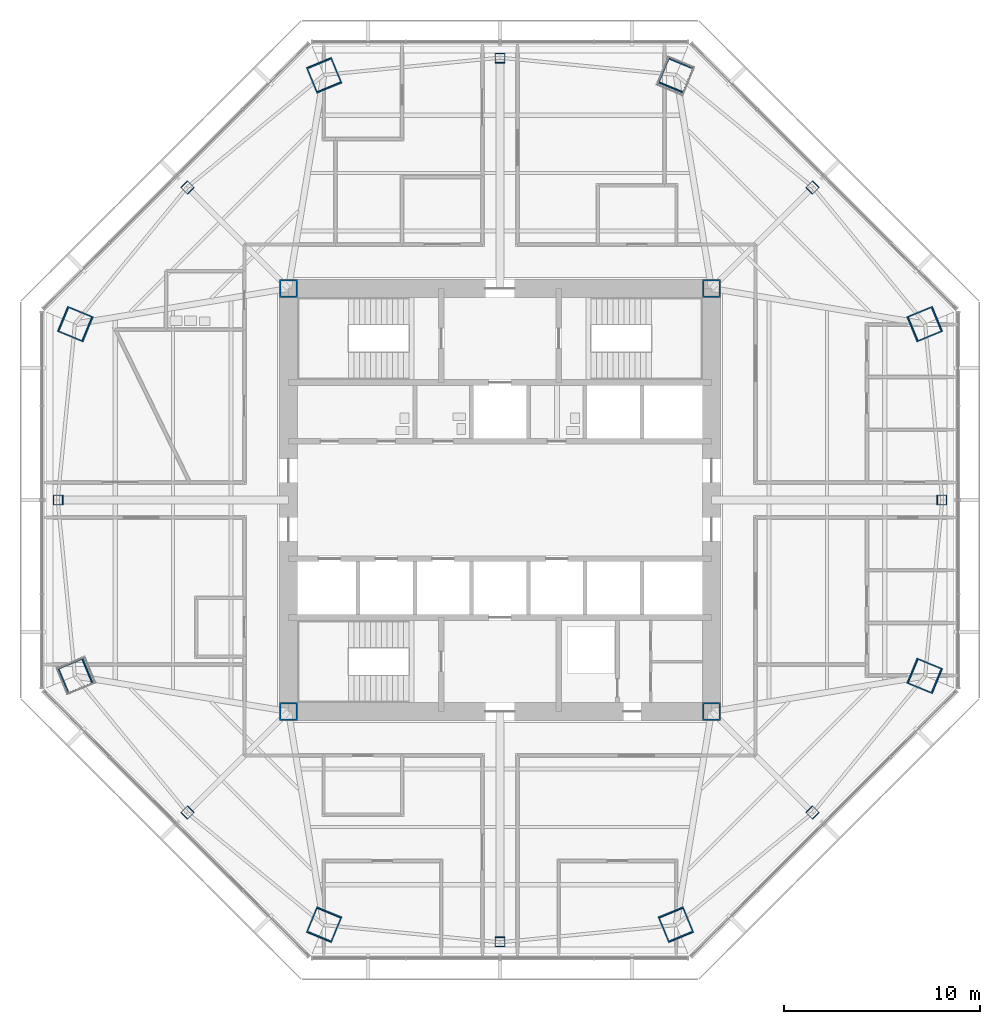
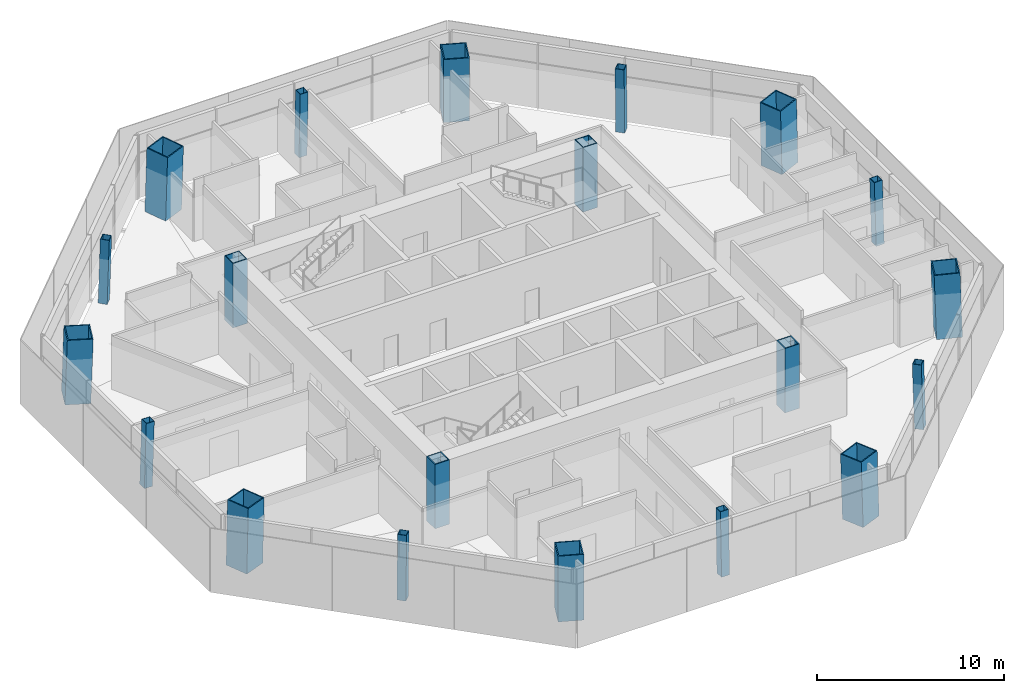
# One storey, part 1 of 15: 20 columns.
"""IFC4 building model written with IfcOpenShell, lengths in metres."""

import ifcopenshell
import ifcopenshell.guid

model = None  # the IFC model being written
_history = None  # IfcOwnerHistory: only IFC2X3 demands one
_inside = {}  # id of a spatial element -> (the spatial element, [elements in it])
_under = {}  # id of a project, library or spatial element -> (it, [spatial elements below it])
_declared = {}  # id of a project -> (the project, [libraries it declares])
_typed = {}  # id of a type object -> (the type object, [elements of that type])
_made_of = {}  # id of a material, layer set ... -> (it, [elements and type objects made of it])


def new_model(schema):
    """Start an empty IFC model of exactly this schema.

    Asked for "IFC4X3", IfcOpenShell would pick the latest addendum, in which some entities
    have other attributes; the version numbers below select the first issue.
    IFC2X3 requires an IfcOwnerHistory on every rooted entity: one is made here for all.
    """
    global model, _history
    if schema == "IFC4X3":
        model = ifcopenshell.file(schema_version=(4, 3, 0, 0))
    else:
        model = ifcopenshell.file(schema=schema)
    _inside.clear()
    _under.clear()
    _declared.clear()
    _typed.clear()
    _made_of.clear()
    _history = None
    if model.schema == "IFC2X3":
        org = make("IfcOrganization", Name="unknown")
        user = make(
            "IfcPersonAndOrganization",
            ThePerson=make("IfcPerson", FamilyName="unknown"),
            TheOrganization=org,
        )
        app = make(
            "IfcApplication",
            ApplicationDeveloper=org,
            Version="unknown",
            ApplicationFullName="unknown",
            ApplicationIdentifier="unknown",
        )
        _history = make(
            "IfcOwnerHistory",
            OwningUser=user,
            OwningApplication=app,
            ChangeAction="ADDED",
            CreationDate=0,
        )
    return model


def make(cls, **values):
    """One entity of the class cls with the attributes given. An attribute that is None is left unset."""
    return model.create_entity(
        cls, **{name: value for name, value in values.items() if value is not None}
    )


def rooted(cls, **values):
    """An entity with a GlobalId (a new one), such as an element, a storey or a relation."""
    return make(cls, GlobalId=ifcopenshell.guid.new(), OwnerHistory=_history, **values)


def si_unit(unit_type, name, prefix=None):
    """IfcSIUnit, for example si_unit("LENGTHUNIT", "METRE", prefix="MILLI")."""
    return make("IfcSIUnit", UnitType=unit_type, Prefix=prefix, Name=name)


def assignment(units):
    """IfcUnitAssignment: the units of a project."""
    return None if units is None else make("IfcUnitAssignment", Units=units)


def point(xyz):
    """IfcCartesianPoint."""
    return None if xyz is None else make("IfcCartesianPoint", Coordinates=xyz)


def direction(xyz):
    """IfcDirection."""
    return None if xyz is None else make("IfcDirection", DirectionRatios=xyz)


def frame(location, z_axis=None, x_axis=None):
    """IfcAxis2Placement3D, a coordinate frame: its origin and axes. An axis left out is left unset."""
    return make(
        "IfcAxis2Placement3D",
        Location=point(location),
        Axis=direction(z_axis),
        RefDirection=direction(x_axis),
    )


def frame_2d(location, x_axis=None):
    """IfcAxis2Placement2D, a coordinate frame in the plane: its origin and x axis."""
    return make(
        "IfcAxis2Placement2D", Location=point(location), RefDirection=direction(x_axis)
    )


def origin():
    """The frame at (0, 0, 0) with its axes left unset."""
    return frame((0.0, 0.0, 0.0))


def origin_2d():
    """The frame at (0, 0) in the plane with its x axis left unset."""
    return frame_2d((0.0, 0.0))


def place(relative_to, where):
    """IfcLocalPlacement: puts the frame where relative to a parent placement (None: the world)."""
    return make(
        "IfcLocalPlacement", PlacementRelTo=relative_to, RelativePlacement=where
    )


def context(
    kind, dimensions, precision=None, world=None, true_north=None, identifier=None
):
    """IfcGeometricRepresentationContext, for example the 3D "Model" context."""
    return make(
        "IfcGeometricRepresentationContext",
        ContextIdentifier=identifier,
        ContextType=kind,
        CoordinateSpaceDimension=dimensions,
        Precision=precision,
        WorldCoordinateSystem=world,
        TrueNorth=true_north,
    )


def subcontext(parent, identifier, kind, view, scale=None):
    """IfcGeometricRepresentationSubContext, for example "Body" below "Model"."""
    return make(
        "IfcGeometricRepresentationSubContext",
        ContextIdentifier=identifier,
        ContextType=kind,
        ParentContext=parent,
        TargetScale=scale,
        TargetView=view,
    )


def project(units=None, contexts=None):
    """IfcProject with its units and contexts."""
    return rooted(
        "IfcProject",
        Name="project",
        RepresentationContexts=contexts,
        UnitsInContext=assignment(units),
    )


def spatial(cls, under=None, at=None, **own):
    """A site, building, storey or space (cls), placed at a placement, below another one or the project."""
    s = rooted(cls, ObjectPlacement=at, **own)
    if under is not None:
        _under.setdefault(under.id(), (under, []))[1].append(s)
    return s


def profile(cls, at=None, kind="AREA", **sizes):
    """A parametric profile (cls). Its sizes go by their IFC names, for example OverallWidth=200.0."""
    return make(cls, ProfileType=kind, Position=at, **sizes)


def hollow_rectangle(**sizes):
    """IfcRectangleHollowProfileDef."""
    return profile("IfcRectangleHollowProfileDef", **sizes)


def extrude(swept, where, along, depth):
    """IfcExtrudedAreaSolid: the profile swept, set in the frame where, extruded along a direction by depth."""
    return make(
        "IfcExtrudedAreaSolid",
        SweptArea=swept,
        Position=where,
        ExtrudedDirection=direction(along),
        Depth=depth,
    )


def shape(context_of_items, identifier, shape_type, items):
    """IfcShapeRepresentation: the items that make up one representation, for example the "Body"."""
    return make(
        "IfcShapeRepresentation",
        ContextOfItems=context_of_items,
        RepresentationIdentifier=identifier,
        RepresentationType=shape_type,
        Items=items,
    )


def material(Name=None, Category=None):
    """IfcMaterial."""
    return make("IfcMaterial", Name=Name, Category=Category)


def material_profile(
    of_material, cross_section, Name=None, Category=None, Priority=None
):
    """IfcMaterialProfile: a cross section and its material."""
    return make(
        "IfcMaterialProfile",
        Name=Name,
        Material=of_material,
        Profile=cross_section,
        Priority=Priority,
        Category=Category,
    )


def profile_set(profiles, Name=None, composite=None):
    """IfcMaterialProfileSet."""
    return make(
        "IfcMaterialProfileSet",
        Name=Name,
        MaterialProfiles=profiles,
        CompositeProfile=composite,
    )


def made_of(thing, what):
    """Note that an element or type object is made of a material, layer set ...; save() writes the relation."""
    if what is not None:
        _made_of.setdefault(what.id(), (what, []))[1].append(thing)
    return thing


def type_object(cls, material=None, **own):
    """A type object (cls), such as IfcWallType, which elements share."""
    return made_of(rooted(cls, **own), material)


def element(
    cls,
    number,
    at=None,
    inside=None,
    cuts=None,
    type_object=None,
    material=None,
    context=None,
    identifier="Body",
    shape_type=None,
    held_by="IfcProductDefinitionShape",
    body=None,
    shapes=None,
    **own,
):
    """One element of the class cls, such as IfcWall. Its Tag is "e" and its number.

    at: its placement. inside: the storey or other place that contains it. cuts: it is an
    opening in that element (IfcRelVoidsElement). A single representation is given by context,
    identifier, shape_type and body (its items); several are given by shapes. held_by: the class
    of the entity that holds the representations. save() writes the other relations.
    """
    e = rooted(cls, Tag="e%d" % number, ObjectPlacement=at, **own)
    if body is not None:
        shapes = [shape(context, identifier, shape_type, body)]
    if shapes is not None:
        e.Representation = make(held_by, Representations=shapes)
    if inside is not None:
        _inside.setdefault(inside.id(), (inside, []))[1].append(e)
    if cuts is not None:
        rooted(
            "IfcRelVoidsElement", RelatingBuildingElement=cuts, RelatedOpeningElement=e
        )
    if type_object is not None:
        _typed.setdefault(type_object.id(), (type_object, []))[1].append(e)
    return made_of(e, material)


def aggregate(whole, parts):
    """IfcRelAggregates: a whole, such as a stair, and the parts it consists of."""
    return rooted("IfcRelAggregates", RelatingObject=whole, RelatedObjects=parts)


def save(model, path):
    """Write the relations noted so far, then the file.

    IfcRelAggregates (storeys below a building ...), IfcRelContainedInSpatialStructure (elements
    in a storey), IfcRelDefinesByType, IfcRelAssociatesMaterial and IfcRelDeclares: one each for
    every whole, place, type object, material and project.
    """
    for whole, parts in _under.values():
        aggregate(whole, parts)
    for where, things in _inside.values():
        rooted(
            "IfcRelContainedInSpatialStructure",
            RelatedElements=things,
            RelatingStructure=where,
        )
    for kind, things in _typed.values():
        rooted("IfcRelDefinesByType", RelatedObjects=things, RelatingType=kind)
    for what, things in _made_of.values():
        rooted("IfcRelAssociatesMaterial", RelatedObjects=things, RelatingMaterial=what)
    for by, libraries in _declared.values():
        rooted("IfcRelDeclares", RelatingContext=by, RelatedDefinitions=libraries)
    model.write(path)


model = new_model("IFC4")

# Units and contexts
model_context = context("Model", 3, precision=1e-05, world=origin(), true_north=direction((0.0, 1.0)))
body_context = subcontext(model_context, "Body", "Model", "MODEL_VIEW")
ifc_project = project(units=[si_unit("LENGTHUNIT", "METRE"), si_unit("AREAUNIT", "SQUARE_METRE"), si_unit("VOLUMEUNIT", "CUBIC_METRE"), si_unit("PLANEANGLEUNIT", "RADIAN"), si_unit("MASSUNIT", "GRAM", prefix="KILO")], contexts=[model_context])

# Site, building, storey
site_placement = place(None, origin())
site = spatial("IfcSite", under=ifc_project, at=site_placement, CompositionType="ELEMENT")
building_placement = place(site_placement, origin())
building = spatial("IfcBuilding", under=site, at=building_placement, Name="Mashrafa Tower", CompositionType="ELEMENT")
storey_placement = place(building_placement, frame((0.0, 0.0, 163.800048828125)))
storey = spatial("IfcBuildingStorey", under=building, at=storey_placement, Name="L37", CompositionType="ELEMENT", Elevation=163.800048828125)

# Columns
ifc_material_1 = material(Name="Steel ASTM A572 Gr 50", Category="steel")
ifc_material_profile_1 = material_profile(ifc_material_1, hollow_rectangle(XDim=0.89990234375, YDim=0.89990234375, WallThickness=0.06005859375, at=origin_2d()), Name="BOX900X900X60")
ifc_profile_set_1 = profile_set([ifc_material_profile_1], Name="Steel ASTM A572 Gr 50")
column_type_1 = type_object("IfcColumnType", Name="Core corner column BOX900X900X60", PredefinedType="COLUMN", material=ifc_profile_set_1)
for number, where, z_axis, x_axis, name in (
    (1, (10.800048828125, 10.800048828125, 0.0), (0.0, 0.0, 1.0), (1.0, 0.0, 0.0), "Core corner column CC-NE L37"),
    (2, (-10.800048828125, 10.800048828125, 0.0), (0.0, 0.0, 1.0), (1.0, 0.0, 0.0), "Core corner column CC-NW L37"),
    (3, (-10.800048828125, -10.800048828125, 0.0), (0.0, 0.0, 1.0), (1.0, 0.0, 0.0), "Core corner column CC-SW L37"),
    (4, (10.800048828125, -10.800048828125, 0.0), (0.0, 0.0, 1.0), (1.0, 0.0, 0.0), "Core corner column CC-SE L37"),
):
    element("IfcColumn", number, at=place(storey_placement, frame(where, z_axis=z_axis, x_axis=x_axis)), inside=storey, type_object=column_type_1, Name=name, PredefinedType="COLUMN", context=body_context, shape_type="SweptSolid", body=[
        extrude(hollow_rectangle(XDim=0.89990234375, YDim=0.89990234375, WallThickness=0.06005859375, at=origin_2d()), origin(), (0.0, 0.0, 1.0), 4.199951171875),
    ])
ifc_material_2 = material(Name="Steel ASTM A572 Gr 50", Category="steel")
ifc_material_profile_2 = material_profile(ifc_material_2, hollow_rectangle(XDim=1.39990234375, YDim=1.39990234375, WallThickness=0.06494140625, at=origin_2d()), Name="BOX1400X1400X65")
ifc_profile_set_2 = profile_set([ifc_material_profile_2], Name="Steel ASTM A572 Gr 50")
column_type_2 = type_object("IfcColumnType", Name="Mega column CFST BOX1400X1400X65", PredefinedType="COLUMN", material=ifc_profile_set_2)
for number, where, z_axis, x_axis, name in (
    (5, (21.702880859375, 8.989501953125, 0.0), (-0.028295749455, -0.011678533143, 0.999531371407), (0.38151339852, -0.924363308851, 0.0), "Mega column MC1 L37"),
    (6, (8.989501953125, 21.702880859375, 0.0), (-0.011678533143, -0.028295749455, 0.999531371407), (0.924363308851, -0.38151339852, 0.0), "Mega column MC2 L37"),
    (7, (-8.989501953125, 21.702880859375, 0.0), (0.011678533143, -0.028295749455, 0.999531371407), (0.924363308851, 0.38151339852, 0.0), "Mega column MC3 L37"),
    (8, (-21.702880859375, 8.989501953125, 0.0), (0.028295749455, -0.011678533143, 0.999531371407), (0.38151339852, 0.924363308851, 0.0), "Mega column MC4 L37"),
    (9, (-21.702880859375, -8.989501953125, 0.0), (0.028295749455, 0.011678533143, 0.999531371407), (-0.38151339852, 0.924363308851, 0.0), "Mega column MC5 L37"),
    (10, (-8.989501953125, -21.702880859375, 0.0), (0.011678533143, 0.028295749455, 0.999531371407), (-0.924363308851, 0.38151339852, 0.0), "Mega column MC6 L37"),
    (11, (8.989501953125, -21.702880859375, 0.0), (-0.011678533143, 0.028295749455, 0.999531371407), (-0.924363308851, -0.38151339852, 0.0), "Mega column MC7 L37"),
    (12, (21.702880859375, -8.989501953125, 0.0), (-0.028295749455, 0.011678533143, 0.999531371407), (-0.38151339852, -0.924363308851, 0.0), "Mega column MC8 L37"),
):
    element("IfcColumn", number, at=place(storey_placement, frame(where, z_axis=z_axis, x_axis=x_axis)), inside=storey, type_object=column_type_2, Name=name, PredefinedType="COLUMN", context=body_context, shape_type="SweptSolid", body=[
        extrude(hollow_rectangle(XDim=1.39990234375, YDim=1.39990234375, WallThickness=0.06494140625, at=origin_2d()), origin(), (0.0, 0.0, 1.0), 4.201904296875),
    ])
ifc_material_3 = material(Name="Steel ASTM A572 Gr 50", Category="steel")
ifc_material_profile_3 = material_profile(ifc_material_3, hollow_rectangle(XDim=0.5, YDim=0.5, WallThickness=0.02490234375, at=origin_2d()), Name="BOX500X500X25")
ifc_profile_set_3 = profile_set([ifc_material_profile_3], Name="Steel ASTM A572 Gr 50")
column_type_3 = type_object("IfcColumnType", Name="Secondary column BOX500X500X25", PredefinedType="COLUMN", material=ifc_profile_set_3)
for number, where, z_axis, x_axis, name in (
    (13, (22.5810546875, 0.0, 0.0), (-0.028297679255, 0.0, 0.99959954049), (0.0, -1.0, 0.0), "Secondary column SC1 L37"),
    (14, (15.96728515625, 15.96728515625, 0.0), (-0.019988521213, -0.019988521213, 0.999600379171), (0.707106781187, -0.707106781187, 0.0), "Secondary column SC2 L37"),
    (15, (0.0, 22.5810546875, 0.0), (0.0, -0.028297679255, 0.99959954049), (1.0, 0.0, 0.0), "Secondary column SC3 L37"),
    (16, (-15.96728515625, 15.96728515625, 0.0), (0.019988521213, -0.019988521213, 0.999600379171), (0.707106781187, 0.707106781187, 0.0), "Secondary column SC4 L37"),
    (17, (-22.5810546875, 0.0, 0.0), (0.028297679255, 0.0, 0.99959954049), (0.0, 1.0, 0.0), "Secondary column SC5 L37"),
    (18, (-15.96728515625, -15.96728515625, 0.0), (0.019988521213, 0.019988521213, 0.999600379171), (-0.707106781187, 0.707106781187, 0.0), "Secondary column SC6 L37"),
    (19, (0.0, -22.5810546875, 0.0), (0.0, 0.028297679255, 0.99959954049), (-1.0, 0.0, 0.0), "Secondary column SC7 L37"),
    (20, (15.96728515625, -15.96728515625, 0.0), (-0.019988521213, 0.019988521213, 0.999600379171), (-0.707106781187, -0.707106781187, 0.0), "Secondary column SC8 L37"),
):
    element("IfcColumn", number, at=place(storey_placement, frame(where, z_axis=z_axis, x_axis=x_axis)), inside=storey, type_object=column_type_3, Name=name, PredefinedType="COLUMN", context=body_context, shape_type="SweptSolid", body=[
        extrude(hollow_rectangle(XDim=0.5, YDim=0.5, WallThickness=0.02490234375, at=origin_2d()), origin(), (0.0, 0.0, 1.0), 4.20166015625),
    ])

save(model, "model.ifc")
